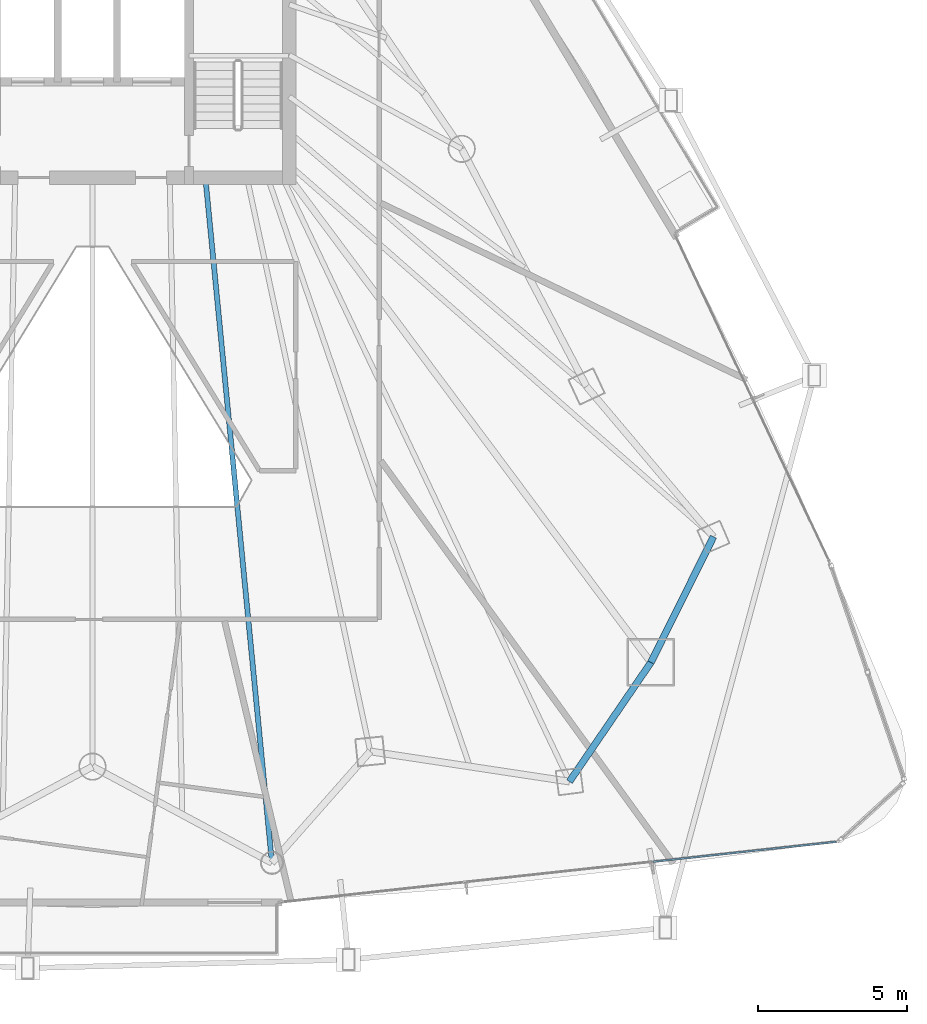
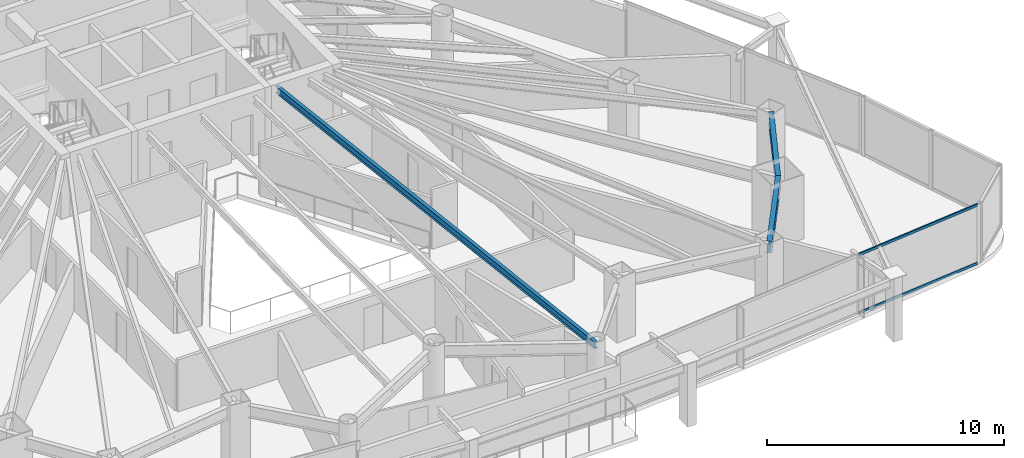
# One storey, part 14 of 33: 3 beams, 2 members, 1 element without a shape of its own.
"""IFC4 building model written with IfcOpenShell, lengths in metres."""

from ifc_helpers import new_model, si_unit, direction, frame, origin, origin_2d, place, context, subcontext, project, spatial, hollow_rectangle, i_section, extrude, material, layer, layer_set, material_profile, profile_set, type_object, element, aggregate, save


model = new_model("IFC4")

# Units and contexts
model_context = context("Model", 3, precision=1e-05, world=origin(), true_north=direction((0.0, 1.0)))
body_context = subcontext(model_context, "Body", "Model", "MODEL_VIEW")
ifc_project = project(units=[si_unit("LENGTHUNIT", "METRE"), si_unit("AREAUNIT", "SQUARE_METRE"), si_unit("VOLUMEUNIT", "CUBIC_METRE"), si_unit("PLANEANGLEUNIT", "RADIAN"), si_unit("MASSUNIT", "GRAM", prefix="KILO")], contexts=[model_context])

# Site, building, storey
site_placement = place(None, origin())
site = spatial("IfcSite", under=ifc_project, at=site_placement, CompositionType="ELEMENT")
building_placement = place(site_placement, origin())
building = spatial("IfcBuilding", under=site, at=building_placement, Name="Orvanel Arch Residences", CompositionType="ELEMENT")
storey_placement = place(building_placement, frame((0.0, 0.0, 87.35009765625)))
storey = spatial("IfcBuildingStorey", under=building, at=storey_placement, Name="L24", CompositionType="ELEMENT", Elevation=87.35009765625)

# Beams
ifc_material_1 = material(Name="Structural steel AS/NZS 3679.1 Grade 300 (300 MPa)", Category="steel")
ifc_material_profile_1 = material_profile(ifc_material_1, i_section(OverallWidth=0.1708984375, OverallDepth=0.35595703125, WebThickness=0.00732421875, FlangeThickness=0.011474609375, at=origin_2d()), Name="360UB50.7")
ifc_profile_set_1 = profile_set([ifc_material_profile_1], Name="Structural steel AS/NZS 3679.1 Grade 300 (300 MPa)")
beam_type_1 = type_object("IfcBeamType", Name="BJ-360UB", PredefinedType="JOIST", material=ifc_profile_set_1)
beam_1_placement = place(storey_placement, frame((36.800048828125, 26.675048828125, 2.8818359375), z_axis=(0.096724091756, -0.995311232768, 0.0), x_axis=(0.995311232768, 0.096724091756, 0.0)))
element("IfcBeam", 1, at=beam_1_placement, inside=storey, type_object=beam_type_1, Name="L24 LSE Wing Floor Joist", PredefinedType="JOIST", context=body_context, shape_type="SweptSolid", body=[
    extrude(i_section(OverallWidth=0.1708984375, OverallDepth=0.35595703125, WebThickness=0.00732421875, FlangeThickness=0.011474609375, at=origin_2d()), origin(), (0.0, 0.0, 1.0), 23.1787109375),
])
ifc_material_profile_2 = material_profile(ifc_material_1, i_section(OverallWidth=0.22900390625, OverallDepth=0.612060546875, WebThickness=0.011962890625, FlangeThickness=0.01953125, at=origin_2d()), Name="610UB125")
ifc_profile_set_2 = profile_set([ifc_material_profile_2], Name="Structural steel AS/NZS 3679.1 Grade 300 (300 MPa)")
beam_type_2 = type_object("IfcBeamType", Name="SP-610UB", PredefinedType="SPANDREL", material=ifc_profile_set_2)
beam_2_placement = place(storey_placement, frame((49.05908203125, 6.339111328125, 2.75390625), z_axis=(0.564251579852, 0.825602903722, 0.0), x_axis=(-0.825602903722, 0.564251579852, 0.0)))
element("IfcBeam", 2, at=beam_2_placement, inside=storey, type_object=beam_type_2, Name="L24 Perimeter Spandrel Beam 10", PredefinedType="SPANDREL", context=body_context, shape_type="SweptSolid", body=[
    extrude(i_section(OverallWidth=0.22900390625, OverallDepth=0.612060546875, WebThickness=0.011962890625, FlangeThickness=0.01953125, at=origin_2d()), origin(), (0.0, 0.0, 1.0), 4.859375),
])
beam_3_placement = place(storey_placement, frame((51.801025390625, 10.35107421875, 2.75390625), z_axis=(0.44543469453, 0.895314432425, 0.0), x_axis=(-0.895314432425, 0.44543469453, 0.0)))
element("IfcBeam", 3, at=beam_3_placement, inside=storey, type_object=beam_type_2, Name="L24 Perimeter Spandrel Beam 11", PredefinedType="SPANDREL", context=body_context, shape_type="SweptSolid", body=[
    extrude(i_section(OverallWidth=0.22900390625, OverallDepth=0.612060546875, WebThickness=0.011962890625, FlangeThickness=0.01953125, at=origin_2d()), origin(), (0.0, 0.0, 1.0), 4.723388671875),
])

# Curtain wall, members
ifc_material_2 = material(Name="Bronze-anodised aluminium AA6063-T6", Category="aluminium")
ifc_layer = layer(ifc_material_2, 0.179931640625)
ifc_layer_set = layer_set([ifc_layer], Name="Bronze-anodised aluminium AA6063-T6")
curtain_wall_type = type_object("IfcCurtainWallType", Name="CW2-LOW-SYS", PredefinedType="NOTDEFINED", material=ifc_layer_set)
curtain_wall_placement = place(storey_placement, origin())
curtain_wall = element("IfcCurtainWall", 4, at=curtain_wall_placement, inside=storey, type_object=curtain_wall_type, Name="L24 CW2-LOW-SYS Unitised Curtain Wall", PredefinedType="NOTDEFINED")
ifc_material_profile_3 = material_profile(ifc_material_2, hollow_rectangle(XDim=0.06005859375, YDim=0.135009765625, WallThickness=0.00390625, at=origin_2d()), Name="ALU135x60x4")
ifc_profile_set_3 = profile_set([ifc_material_profile_3], Name="Bronze-anodised aluminium AA6063-T6")
member_type = type_object("IfcMemberType", Name="TRN-135x60", PredefinedType="USERDEFINED", material=ifc_profile_set_3)
member_1_placement = place(storey_placement, frame((51.874755859375, 3.641845703125, 0.02978515625), z_axis=(0.994117215729, 0.108309562791, 0.0), x_axis=(-0.108309562791, 0.994117215729, 0.0)))
member_1 = element("IfcMember", 5, at=member_1_placement, type_object=member_type, Name="CW-S2 transom 3.1", ObjectType="TRANSOM", PredefinedType="USERDEFINED", context=body_context, shape_type="SweptSolid", body=[
    extrude(hollow_rectangle(XDim=0.06005859375, YDim=0.135009765625, WallThickness=0.00390625, at=origin_2d()), origin(), (0.0, 0.0, 1.0), 6.200927734375),
])
member_2_placement = place(storey_placement, frame((51.874755859375, 3.641845703125, 3.02978515625), z_axis=(0.994117215729, 0.108309562791, 0.0), x_axis=(-0.108309562791, 0.994117215729, 0.0)))
member_2 = element("IfcMember", 6, at=member_2_placement, type_object=member_type, Name="CW-S2 transom 3.2", ObjectType="TRANSOM", PredefinedType="USERDEFINED", context=body_context, shape_type="SweptSolid", body=[
    extrude(hollow_rectangle(XDim=0.06005859375, YDim=0.135009765625, WallThickness=0.00390625, at=origin_2d()), origin(), (0.0, 0.0, 1.0), 6.200927734375),
])
aggregate(curtain_wall, [member_1, member_2])

save(model, "model.ifc")
